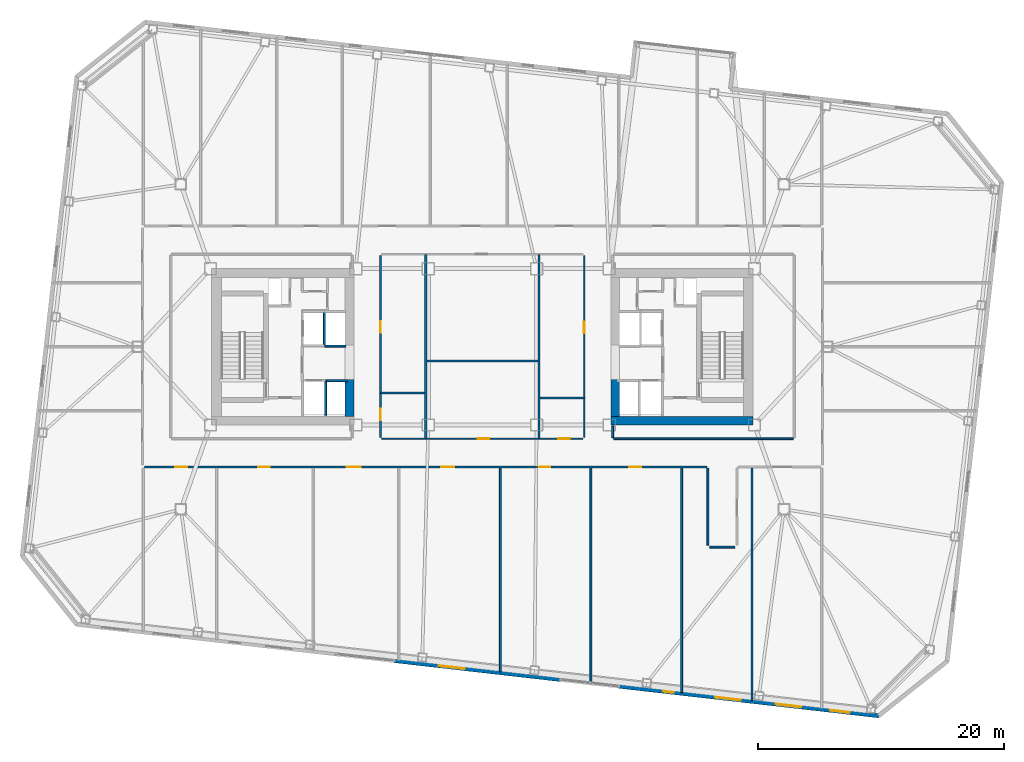
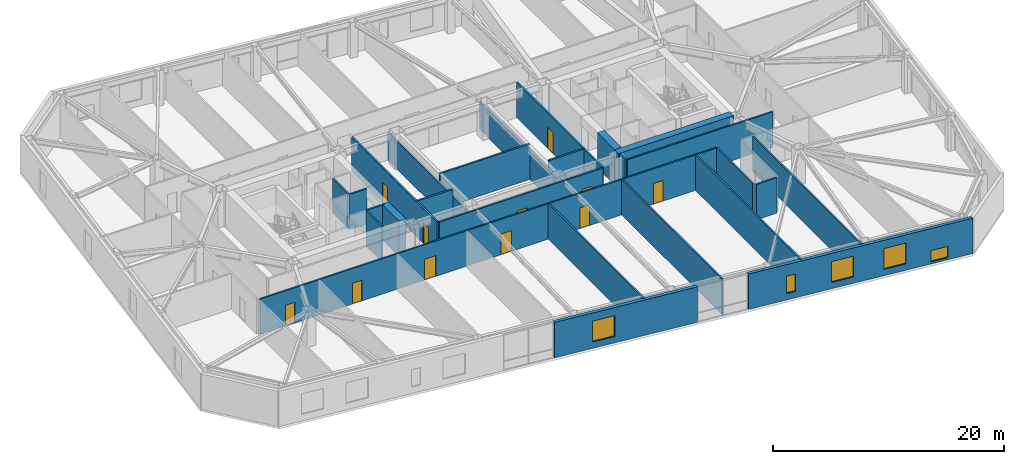
# One storey, part 14 of 23: 26 walls, 11 doors, 5 windows, 16 openings.
"""IFC4 building model written with IfcOpenShell, lengths in metres."""

from ifc_helpers import new_model, si_unit, direction, frame, frame_2d, origin, place, context, subcontext, project, spatial, rectangle, extrude, material, layer, layer_set, type_object, element, fill, save


model = new_model("IFC4")

# Units and contexts
model_context = context("Model", 3, precision=1e-05, world=origin(), true_north=direction((0.0, 1.0)))
body_context = subcontext(model_context, "Body", "Model", "MODEL_VIEW")
ifc_project = project(units=[si_unit("LENGTHUNIT", "METRE"), si_unit("AREAUNIT", "SQUARE_METRE"), si_unit("VOLUMEUNIT", "CUBIC_METRE"), si_unit("PLANEANGLEUNIT", "RADIAN"), si_unit("MASSUNIT", "GRAM", prefix="KILO")], contexts=[model_context])

# Site, building, storey
site_placement = place(None, origin())
site = spatial("IfcSite", under=ifc_project, at=site_placement, CompositionType="ELEMENT")
building_placement = place(site_placement, origin())
building = spatial("IfcBuilding", under=site, at=building_placement, Name="Tavrogorsk Clinical Tower", CompositionType="ELEMENT")
storey_placement = place(building_placement, frame((0.0, 0.0, 113.39990234375)))
storey = spatial("IfcBuildingStorey", under=building, at=storey_placement, Name="L25", CompositionType="ELEMENT", Elevation=113.39990234375)

# Wall, openings, doors
ifc_material_1 = material(Name="Lightweight concrete blockwork B15", Category="masonry")
ifc_layer_1 = layer(ifc_material_1, 0.159912109375)
ifc_layer_set_1 = layer_set([ifc_layer_1], Name="Lightweight concrete blockwork B15")
wall_type_1 = type_object("IfcWallType", Name="PartitionWall_160", PredefinedType="PARTITIONING", material=ifc_layer_set_1)
wall_1_placement = place(storey_placement, frame((18.235107421875, -9.780029296875, 0.0), z_axis=(0.0, 0.0, 1.0), x_axis=(-1.0, 0.0, 0.0)))
wall_1 = element("IfcWall", 1, at=wall_1_placement, inside=storey, type_object=wall_type_1, Name="L25 Corridor Partition 01", PredefinedType="PARTITIONING", context=body_context, shape_type="SweptSolid", body=[
    extrude(rectangle(XDim=45.7001953125, YDim=0.159912109375, at=frame_2d((22.85009765625, 0.0))), origin(), (0.0, 0.0, 1.0), 3.739990234375),
])
opening_1_placement = place(wall_1_placement, frame((42.225830078125, 0.0, 0.0)))
opening_1 = element("IfcOpeningElement", 2, at=opening_1_placement, cuts=wall_1, Name="Opening ID-02", PredefinedType="OPENING", context=body_context, shape_type="SweptSolid", body=[
    extrude(rectangle(XDim=0.949951171875, YDim=2.199951171875, at=frame_2d((0.47509765625, 1.10009765625))), frame((0.0, 0.08984375, 0.0), z_axis=(0.0, -1.0, 0.0), x_axis=(1.0, 0.0, 0.0)), (0.0, 0.0, 1.0), 0.179931640625),
])
opening_2_placement = place(wall_1_placement, frame((35.52001953125, 0.0, 0.0)))
opening_2 = element("IfcOpeningElement", 3, at=opening_2_placement, cuts=wall_1, Name="Opening ID-02", PredefinedType="OPENING", context=body_context, shape_type="SweptSolid", body=[
    extrude(rectangle(XDim=0.949951171875, YDim=2.199951171875, at=frame_2d((0.47509765625, 1.10009765625))), frame((0.0, 0.08984375, 0.0), z_axis=(0.0, -1.0, 0.0), x_axis=(1.0, 0.0, 0.0)), (0.0, 0.0, 1.0), 0.179931640625),
])
opening_3_placement = place(wall_1_placement, frame((28.1201171875, 0.0, 0.0)))
opening_3 = element("IfcOpeningElement", 4, at=opening_3_placement, cuts=wall_1, Name="Opening ID-06", PredefinedType="OPENING", context=body_context, shape_type="SweptSolid", body=[
    extrude(rectangle(XDim=1.14990234375, YDim=2.199951171875, at=frame_2d((0.574951171875, 1.10009765625))), frame((0.0, 0.08984375, 0.0), z_axis=(0.0, -1.0, 0.0), x_axis=(1.0, 0.0, 0.0)), (0.0, 0.0, 1.0), 0.179931640625),
])
opening_4_placement = place(wall_1_placement, frame((20.52001953125, 0.0, 0.0)))
opening_4 = element("IfcOpeningElement", 5, at=opening_4_placement, cuts=wall_1, Name="Opening ID-04", PredefinedType="OPENING", context=body_context, shape_type="SweptSolid", body=[
    extrude(rectangle(XDim=1.050048828125, YDim=2.199951171875, at=frame_2d((0.52490234375, 1.10009765625))), frame((0.0, 0.08984375, 0.0), z_axis=(0.0, -1.0, 0.0), x_axis=(1.0, 0.0, 0.0)), (0.0, 0.0, 1.0), 0.179931640625),
])
opening_5_placement = place(wall_1_placement, frame((12.719970703125, 0.0, 0.0)))
opening_5 = element("IfcOpeningElement", 6, at=opening_5_placement, cuts=wall_1, Name="Opening ID-02", PredefinedType="OPENING", context=body_context, shape_type="SweptSolid", body=[
    extrude(rectangle(XDim=0.949951171875, YDim=2.199951171875, at=frame_2d((0.47509765625, 1.10009765625))), frame((0.0, 0.08984375, 0.0), z_axis=(0.0, -1.0, 0.0), x_axis=(1.0, 0.0, 0.0)), (0.0, 0.0, 1.0), 0.179931640625),
])
opening_6_placement = place(wall_1_placement, frame((5.35009765625, 0.0, 0.0)))
opening_6 = element("IfcOpeningElement", 7, at=opening_6_placement, cuts=wall_1, Name="Opening ID-02", PredefinedType="OPENING", context=body_context, shape_type="SweptSolid", body=[
    extrude(rectangle(XDim=0.949951171875, YDim=2.199951171875, at=frame_2d((0.47509765625, 1.10009765625))), frame((0.0, 0.08984375, 0.0), z_axis=(0.0, -1.0, 0.0), x_axis=(1.0, 0.0, 0.0)), (0.0, 0.0, 1.0), 0.179931640625),
])
ifc_material_2 = material(Name="Antibacterial HPL consultation door on aluminium frame", Category="aluminium")
door_type_1 = type_object("IfcDoorType", Name="ConsultDoor_ID04_1050", OperationType="NOTDEFINED", PredefinedType="DOOR", material=ifc_material_2)
door_1_placement = place(opening_4_placement, origin())
door_1 = element("IfcDoor", 8, at=door_1_placement, inside=storey, type_object=door_type_1, Name="L25 South Cardiology Diagnostics Room 03A Door", OperationType="SINGLE_SWING_LEFT", OverallHeight=2.199951171875, OverallWidth=1.050048828125, PredefinedType="DOOR", context=body_context, shape_type="SweptSolid", body=[
    extrude(rectangle(XDim=1.050048828125, YDim=2.199951171875, at=frame_2d((0.52490234375, 1.10009765625))), frame((0.0, 0.02490234375, 0.0), z_axis=(0.0, -1.0, 0.0), x_axis=(1.0, 0.0, 0.0)), (0.0, 0.0, 1.0), 0.050048828125),
])
fill(opening_4, door_1)
ifc_material_3 = material(Name="Laminated timber leaf on aluminium frame", Category="wood")
door_type_2 = type_object("IfcDoorType", Name="InteriorDoor_ID02_950", OperationType="NOTDEFINED", PredefinedType="DOOR", material=ifc_material_3)
door_2_placement = place(opening_1_placement, origin())
door_2 = element("IfcDoor", 9, at=door_2_placement, inside=storey, type_object=door_type_2, Name="L25 South Clean Medication & Prep Room 01 Door", OperationType="SINGLE_SWING_RIGHT", OverallHeight=2.199951171875, OverallWidth=0.949951171875, PredefinedType="DOOR", context=body_context, shape_type="SweptSolid", body=[
    extrude(rectangle(XDim=0.949951171875, YDim=2.199951171875, at=frame_2d((0.47509765625, 1.10009765625))), frame((0.0, 0.02490234375, 0.0), z_axis=(0.0, -1.0, 0.0), x_axis=(1.0, 0.0, 0.0)), (0.0, 0.0, 1.0), 0.050048828125),
])
fill(opening_1, door_2)
door_3_placement = place(opening_2_placement, origin())
door_3 = element("IfcDoor", 10, at=door_3_placement, inside=storey, type_object=door_type_2, Name="L25 South Outpatient Procedure Suite 02A Door", OperationType="SINGLE_SWING_LEFT", OverallHeight=2.199951171875, OverallWidth=0.949951171875, PredefinedType="DOOR", context=body_context, shape_type="SweptSolid", body=[
    extrude(rectangle(XDim=0.949951171875, YDim=2.199951171875, at=frame_2d((0.47509765625, 1.10009765625))), frame((0.0, 0.02490234375, 0.0), z_axis=(0.0, -1.0, 0.0), x_axis=(1.0, 0.0, 0.0)), (0.0, 0.0, 1.0), 0.050048828125),
])
fill(opening_2, door_3)
door_4_placement = place(opening_5_placement, origin())
door_4 = element("IfcDoor", 11, at=door_4_placement, inside=storey, type_object=door_type_2, Name="L25 South Staff Rest & Nourishment Lounge 03B Door", OperationType="SINGLE_SWING_RIGHT", OverallHeight=2.199951171875, OverallWidth=0.949951171875, PredefinedType="DOOR", context=body_context, shape_type="SweptSolid", body=[
    extrude(rectangle(XDim=0.949951171875, YDim=2.199951171875, at=frame_2d((0.47509765625, 1.10009765625))), frame((0.0, 0.02490234375, 0.0), z_axis=(0.0, -1.0, 0.0), x_axis=(1.0, 0.0, 0.0)), (0.0, 0.0, 1.0), 0.050048828125),
])
fill(opening_5, door_4)
door_5_placement = place(opening_6_placement, origin())
door_5 = element("IfcDoor", 12, at=door_5_placement, inside=storey, type_object=door_type_2, Name="L25 South Attending Physician Office 04A Door", OperationType="SINGLE_SWING_LEFT", OverallHeight=2.199951171875, OverallWidth=0.949951171875, PredefinedType="DOOR", context=body_context, shape_type="SweptSolid", body=[
    extrude(rectangle(XDim=0.949951171875, YDim=2.199951171875, at=frame_2d((0.47509765625, 1.10009765625))), frame((0.0, 0.02490234375, 0.0), z_axis=(0.0, -1.0, 0.0), x_axis=(1.0, 0.0, 0.0)), (0.0, 0.0, 1.0), 0.050048828125),
])
fill(opening_6, door_5)
ifc_material_4 = material(Name="Antibacterial HPL procedure door on aluminium frame", Category="aluminium")
door_type_3 = type_object("IfcDoorType", Name="LabDoor_ID06_1150", OperationType="NOTDEFINED", PredefinedType="DOOR", material=ifc_material_4)
door_6_placement = place(opening_3_placement, origin())
door_6 = element("IfcDoor", 13, at=door_6_placement, inside=storey, type_object=door_type_3, Name="L25 South Clinical Case Seminar Room 02B Door", OperationType="SINGLE_SWING_RIGHT", OverallHeight=2.199951171875, OverallWidth=1.14990234375, PredefinedType="DOOR", context=body_context, shape_type="SweptSolid", body=[
    extrude(rectangle(XDim=1.14990234375, YDim=2.199951171875, at=frame_2d((0.574951171875, 1.10009765625))), frame((0.0, 0.02490234375, 0.0), z_axis=(0.0, -1.0, 0.0), x_axis=(1.0, 0.0, 0.0)), (0.0, 0.0, 1.0), 0.050048828125),
])
fill(opening_3, door_6)

# Walls
wall_2_placement = place(storey_placement, frame((20.514892578125, -16.280029296875, 0.0), z_axis=(0.0, 0.0, 1.0), x_axis=(-1.0, 0.0, 0.0)))
element("IfcWall", 14, at=wall_2_placement, inside=storey, type_object=wall_type_1, Name="L25 Corridor Partition 07", PredefinedType="PARTITIONING", context=body_context, shape_type="SweptSolid", body=[
    extrude(rectangle(XDim=2.02978515625, YDim=0.159912109375, at=frame_2d((1.014892578125, 0.0))), origin(), (0.0, 0.0, 1.0), 3.739990234375),
])
wall_3_placement = place(storey_placement, frame((18.320068359375, -16.114990234375, 0.0), z_axis=(0.0, 0.0, 1.0), x_axis=(0.0, 1.0, 0.0)))
element("IfcWall", 15, at=wall_3_placement, inside=storey, type_object=wall_type_1, Name="L25 Corridor Partition 08", PredefinedType="PARTITIONING", context=body_context, shape_type="SweptSolid", body=[
    extrude(rectangle(XDim=6.25, YDim=0.159912109375, at=frame_2d((3.125, 0.0))), origin(), (0.0, 0.0, 1.0), 3.739990234375),
])
wall_4_placement = place(storey_placement, frame((10.580078125, -6.419921875, 0.0), z_axis=(0.0, 0.0, 1.0), x_axis=(0.0, -1.0, 0.0)))
element("IfcWall", 16, at=wall_4_placement, inside=storey, type_object=wall_type_1, Name="L25 Corridor Partition 11", PredefinedType="PARTITIONING", context=body_context, shape_type="SweptSolid", body=[
    extrude(rectangle(XDim=0.965087890625, YDim=0.159912109375, at=frame_2d((0.482421875, 0.0))), origin(), (0.0, 0.0, 1.0), 3.739990234375),
])
wall_5_placement = place(storey_placement, frame((10.6650390625, -7.469970703125, 0.0), z_axis=(0.0, 0.0, 1.0), x_axis=(1.0, 0.0, 0.0)))
element("IfcWall", 17, at=wall_5_placement, inside=storey, type_object=wall_type_1, Name="L25 Corridor Partition 12", PredefinedType="PARTITIONING", context=body_context, shape_type="SweptSolid", body=[
    extrude(rectangle(XDim=14.570068359375, YDim=0.159912109375, at=frame_2d((7.28515625, 0.0))), origin(), (0.0, 0.0, 1.0), 3.739990234375),
])

# Wall, openings, doors
wall_6_placement = place(storey_placement, frame((-8.27001953125, 7.43505859375, 0.0), z_axis=(0.0, 0.0, 1.0), x_axis=(0.0, -1.0, 0.0)))
wall_6 = element("IfcWall", 18, at=wall_6_placement, inside=storey, type_object=wall_type_1, Name="L25 Corridor Partition 15", PredefinedType="PARTITIONING", context=body_context, shape_type="SweptSolid", body=[
    extrude(rectangle(XDim=14.820068359375, YDim=0.159912109375, at=frame_2d((7.41015625, 0.0))), origin(), (0.0, 0.0, 1.0), 3.739990234375),
])
opening_7_placement = place(wall_6_placement, frame((12.4609375, 0.0, 0.0)))
opening_7 = element("IfcOpeningElement", 19, at=opening_7_placement, cuts=wall_6, Name="Opening ID-02", PredefinedType="OPENING", context=body_context, shape_type="SweptSolid", body=[
    extrude(rectangle(XDim=0.949951171875, YDim=2.199951171875, at=frame_2d((0.47509765625, 1.10009765625))), frame((0.0, 0.08984375, 0.0), z_axis=(0.0, -1.0, 0.0), x_axis=(1.0, 0.0, 0.0)), (0.0, 0.0, 1.0), 0.179931640625),
])
opening_8_placement = place(wall_6_placement, frame((5.35400390625, 0.0, 0.0)))
opening_8 = element("IfcOpeningElement", 20, at=opening_8_placement, cuts=wall_6, Name="Opening ID-02", PredefinedType="OPENING", context=body_context, shape_type="SweptSolid", body=[
    extrude(rectangle(XDim=0.949951171875, YDim=2.199951171875, at=frame_2d((0.47509765625, 1.10009765625))), frame((0.0, 0.08984375, 0.0), z_axis=(0.0, -1.0, 0.0), x_axis=(1.0, 0.0, 0.0)), (0.0, 0.0, 1.0), 0.179931640625),
])
door_7_placement = place(opening_7_placement, origin())
door_7 = element("IfcDoor", 21, at=door_7_placement, inside=storey, type_object=door_type_2, Name="L25 Accessible Patient Lavatory Door", OperationType="SINGLE_SWING_RIGHT", OverallHeight=2.199951171875, OverallWidth=0.949951171875, PredefinedType="DOOR", context=body_context, shape_type="SweptSolid", body=[
    extrude(rectangle(XDim=0.949951171875, YDim=2.199951171875, at=frame_2d((0.47509765625, 1.10009765625))), frame((0.0, 0.02490234375, 0.0), z_axis=(0.0, -1.0, 0.0), x_axis=(1.0, 0.0, 0.0)), (0.0, 0.0, 1.0), 0.050048828125),
])
fill(opening_7, door_7)
door_8_placement = place(opening_8_placement, origin())
door_8 = element("IfcDoor", 22, at=door_8_placement, inside=storey, type_object=door_type_2, Name="L25 Ward Nourishment Pantry Door", OperationType="SINGLE_SWING_LEFT", OverallHeight=2.199951171875, OverallWidth=0.949951171875, PredefinedType="DOOR", context=body_context, shape_type="SweptSolid", body=[
    extrude(rectangle(XDim=0.949951171875, YDim=2.199951171875, at=frame_2d((0.47509765625, 1.10009765625))), frame((0.0, 0.02490234375, 0.0), z_axis=(0.0, -1.0, 0.0), x_axis=(1.0, 0.0, 0.0)), (0.0, 0.0, 1.0), 0.050048828125),
])
fill(opening_8, door_8)

wall_7_placement = place(storey_placement, frame((-8.18505859375, -7.469970703125, 0.0), z_axis=(0.0, 0.0, 1.0), x_axis=(1.0, 0.0, 0.0)))
wall_7 = element("IfcWall", 23, at=wall_7_placement, inside=storey, type_object=wall_type_1, Name="L25 Corridor Partition 16", PredefinedType="PARTITIONING", context=body_context, shape_type="SweptSolid", body=[
    extrude(rectangle(XDim=16.3701171875, YDim=0.159912109375, at=frame_2d((8.18505859375, 0.0))), origin(), (0.0, 0.0, 1.0), 3.739990234375),
])
opening_9_placement = place(wall_7_placement, frame((7.794921875, 0.0, 0.0)))
opening_9 = element("IfcOpeningElement", 24, at=opening_9_placement, cuts=wall_7, Name="Opening ID-02", PredefinedType="OPENING", context=body_context, shape_type="SweptSolid", body=[
    extrude(rectangle(XDim=0.949951171875, YDim=2.199951171875, at=frame_2d((0.47509765625, 1.10009765625))), frame((0.0, 0.08984375, 0.0), z_axis=(0.0, -1.0, 0.0), x_axis=(1.0, 0.0, 0.0)), (0.0, 0.0, 1.0), 0.179931640625),
])
opening_10_placement = place(wall_7_placement, frame((14.3359375, 0.0, 0.0)))
opening_10 = element("IfcOpeningElement", 25, at=opening_10_placement, cuts=wall_7, Name="Opening ID-02", PredefinedType="OPENING", context=body_context, shape_type="SweptSolid", body=[
    extrude(rectangle(XDim=0.949951171875, YDim=2.199951171875, at=frame_2d((0.47509765625, 1.10009765625))), frame((0.0, 0.08984375, 0.0), z_axis=(0.0, -1.0, 0.0), x_axis=(1.0, 0.0, 0.0)), (0.0, 0.0, 1.0), 0.179931640625),
])
door_9_placement = place(opening_9_placement, origin())
door_9 = element("IfcDoor", 26, at=door_9_placement, inside=storey, type_object=door_type_2, Name="L25 Multidisciplinary Conference Room Door", OperationType="SINGLE_SWING_RIGHT", OverallHeight=2.199951171875, OverallWidth=0.949951171875, PredefinedType="DOOR", context=body_context, shape_type="SweptSolid", body=[
    extrude(rectangle(XDim=0.949951171875, YDim=2.199951171875, at=frame_2d((0.47509765625, 1.10009765625))), frame((0.0, 0.02490234375, 0.0), z_axis=(0.0, -1.0, 0.0), x_axis=(1.0, 0.0, 0.0)), (0.0, 0.0, 1.0), 0.050048828125),
])
fill(opening_9, door_9)
door_10_placement = place(opening_10_placement, origin())
door_10 = element("IfcDoor", 27, at=door_10_placement, inside=storey, type_object=door_type_2, Name="L25 Staff & Visitor Accessible WC Door", OperationType="SINGLE_SWING_RIGHT", OverallHeight=2.199951171875, OverallWidth=0.949951171875, PredefinedType="DOOR", context=body_context, shape_type="SweptSolid", body=[
    extrude(rectangle(XDim=0.949951171875, YDim=2.199951171875, at=frame_2d((0.47509765625, 1.10009765625))), frame((0.0, 0.02490234375, 0.0), z_axis=(0.0, -1.0, 0.0), x_axis=(1.0, 0.0, 0.0)), (0.0, 0.0, 1.0), 0.050048828125),
])
fill(opening_10, door_10)

# Wall, opening, door
wall_8_placement = place(storey_placement, frame((8.27001953125, -7.385009765625, 0.0), z_axis=(0.0, 0.0, 1.0), x_axis=(0.0, 1.0, 0.0)))
wall_8 = element("IfcWall", 28, at=wall_8_placement, inside=storey, type_object=wall_type_1, Name="L25 Corridor Partition 17", PredefinedType="PARTITIONING", context=body_context, shape_type="SweptSolid", body=[
    extrude(rectangle(XDim=14.820068359375, YDim=0.159912109375, at=frame_2d((7.41015625, 0.0))), origin(), (0.0, 0.0, 1.0), 3.739990234375),
])
opening_11_placement = place(wall_8_placement, frame((8.48583984375, 0.0, 0.0)))
opening_11 = element("IfcOpeningElement", 29, at=opening_11_placement, cuts=wall_8, Name="Opening ID-02", PredefinedType="OPENING", context=body_context, shape_type="SweptSolid", body=[
    extrude(rectangle(XDim=0.949951171875, YDim=2.199951171875, at=frame_2d((0.47509765625, 1.10009765625))), frame((0.0, 0.08984375, 0.0), z_axis=(0.0, -1.0, 0.0), x_axis=(1.0, 0.0, 0.0)), (0.0, 0.0, 1.0), 0.179931640625),
])
door_11_placement = place(opening_11_placement, origin())
door_11 = element("IfcDoor", 30, at=door_11_placement, inside=storey, type_object=door_type_2, Name="L25 Attending Physician Office Door", OperationType="SINGLE_SWING_LEFT", OverallHeight=2.199951171875, OverallWidth=0.949951171875, PredefinedType="DOOR", context=body_context, shape_type="SweptSolid", body=[
    extrude(rectangle(XDim=0.949951171875, YDim=2.199951171875, at=frame_2d((0.47509765625, 1.10009765625))), frame((0.0, 0.02490234375, 0.0), z_axis=(0.0, -1.0, 0.0), x_axis=(1.0, 0.0, 0.0)), (0.0, 0.0, 1.0), 0.050048828125),
])
fill(opening_11, door_11)

# Walls
wall_9_placement = place(storey_placement, frame((8.800048828125, -27.248046875, 0.0), z_axis=(0.0, 0.0, 1.0), x_axis=(0.0, 1.0, 0.0)))
element("IfcWall", 31, at=wall_9_placement, inside=storey, type_object=wall_type_1, Name="L25 South Room Partition 3", PredefinedType="PARTITIONING", context=body_context, shape_type="SweptSolid", body=[
    extrude(rectangle(XDim=17.383056640625, YDim=0.159912109375, at=frame_2d((8.69140625, 0.0))), origin(), (0.0, 0.0, 1.0), 3.739990234375),
])
wall_10_placement = place(storey_placement, frame((21.89990234375, -28.740478515625, 0.0), z_axis=(0.0, 0.0, 1.0), x_axis=(0.0, 1.0, 0.0)))
element("IfcWall", 32, at=wall_10_placement, inside=storey, type_object=wall_type_1, Name="L25 South Room Partition 4", PredefinedType="PARTITIONING", context=body_context, shape_type="SweptSolid", body=[
    extrude(rectangle(XDim=18.87548828125, YDim=0.159912109375, at=frame_2d((9.437744140625, 0.0))), origin(), (0.0, 0.0, 1.0), 3.739990234375),
])
wall_11_placement = place(storey_placement, frame((1.449951171875, -26.41064453125, 0.0), z_axis=(0.0, 0.0, 1.0), x_axis=(0.0, 1.0, 0.0)))
element("IfcWall", 33, at=wall_11_placement, inside=storey, type_object=wall_type_1, Name="L25 South Sub-Partition 3", PredefinedType="PARTITIONING", context=body_context, shape_type="SweptSolid", body=[
    extrude(rectangle(XDim=16.545654296875, YDim=0.159912109375, at=frame_2d((8.27294921875, 0.0))), origin(), (0.0, 0.0, 1.0), 3.739990234375),
])
wall_12_placement = place(storey_placement, frame((16.18994140625, -28.090087890625, 0.0), z_axis=(0.0, 0.0, 1.0), x_axis=(0.0, 1.0, 0.0)))
element("IfcWall", 34, at=wall_12_placement, inside=storey, type_object=wall_type_1, Name="L25 South Sub-Partition 4", PredefinedType="PARTITIONING", context=body_context, shape_type="SweptSolid", body=[
    extrude(rectangle(XDim=18.22509765625, YDim=0.159912109375, at=frame_2d((9.112548828125, 0.0))), origin(), (0.0, 0.0, 1.0), 3.739990234375),
])
ifc_material_5 = material(Name="Lightweight concrete blockwork B20", Category="masonry")
ifc_layer_2 = layer(ifc_material_5, 0.179931640625)
ifc_layer_set_2 = layer_set([ifc_layer_2], Name="Lightweight concrete blockwork B20")
wall_type_2 = type_object("IfcWallType", Name="PartitionWall_180", PredefinedType="PARTITIONING", material=ifc_layer_set_2)
for number, where, z_axis, x_axis, name in (
    (35, (-4.60009765625, -7.465087890625, 0.0), (0.0, 0.0, 1.0), (0.0, 1.0, 0.0), "L25 Central Spine Partition 1"),
    (36, (4.60009765625, -7.465087890625, 0.0), (0.0, 0.0, 1.0), (0.0, 1.0, 0.0), "L25 Central Spine Partition 2"),
):
    element("IfcWall", number, at=place(storey_placement, frame(where, z_axis=z_axis, x_axis=x_axis)), inside=storey, type_object=wall_type_2, Name=name, PredefinedType="PARTITIONING", context=body_context, shape_type="SweptSolid", body=[
        extrude(rectangle(XDim=14.97998046875, YDim=0.179931640625, at=frame_2d((7.489990234375, 0.0))), origin(), (0.0, 0.0, 1.0), 2.93505859375),
    ])
wall_13_placement = place(storey_placement, frame((-4.5048828125, -1.14990234375, 0.0), z_axis=(0.0, 0.0, 1.0), x_axis=(1.0, 0.0, 0.0)))
element("IfcWall", 37, at=wall_13_placement, inside=storey, type_object=wall_type_2, Name="L25 Central Spine Partition 3", PredefinedType="PARTITIONING", context=body_context, shape_type="SweptSolid", body=[
    extrude(rectangle(XDim=9.009765625, YDim=0.179931640625, at=frame_2d((4.5048828125, 0.0))), origin(), (0.0, 0.0, 1.0), 3.739990234375),
])
for number, where, z_axis, x_axis, name in (
    (38, (-8.264892578125, -3.75, 0.0), (0.0, 0.0, 1.0), (1.0, 0.0, 0.0), "L25 Central Spine Partition 4"),
    (39, (4.695068359375, -4.14990234375, 0.0), (0.0, 0.0, 1.0), (1.0, 0.0, 0.0), "L25 Central Spine Partition 5"),
):
    element("IfcWall", number, at=place(storey_placement, frame(where, z_axis=z_axis, x_axis=x_axis)), inside=storey, type_object=wall_type_2, Name=name, PredefinedType="PARTITIONING", context=body_context, shape_type="SweptSolid", body=[
        extrude(rectangle(XDim=3.56982421875, YDim=0.179931640625, at=frame_2d((1.784912109375, 0.0))), origin(), (0.0, 0.0, 1.0), 3.739990234375),
    ])

# Wall, opening, window
ifc_material_6 = material(Name="Precast concrete B45 with limestone cladding", Category="masonry")
ifc_layer_3 = layer(ifc_material_6, 0.340087890625)
ifc_layer_set_3 = layer_set([ifc_layer_3], Name="Precast concrete B45 with limestone cladding")
wall_type_3 = type_object("IfcWallType", Name="PrecastLimestoneWall_340", PredefinedType="STANDARD", material=ifc_layer_set_3)
wall_14_placement = place(storey_placement, frame((-7.121826171875, -25.50439453125, 0.0), z_axis=(0.0, 0.0, 1.0), x_axis=(0.993571685551, -0.11320470693, 0.0)))
wall_14 = element("IfcWall", 40, at=wall_14_placement, inside=storey, type_object=wall_type_3, Name="L25 S Limestone Facade Wall 2", PredefinedType="STANDARD", context=body_context, shape_type="SweptSolid", body=[
    extrude(rectangle(XDim=13.554443359375, YDim=0.340087890625, at=frame_2d((6.77734375, 0.0))), origin(), (0.0, 0.0, 1.0), 3.739990234375),
])
opening_12_placement = place(wall_14_placement, frame((3.616455078125, 0.0, 0.669921875)))
opening_12 = element("IfcOpeningElement", 41, at=opening_12_placement, cuts=wall_14, Name="Opening WN-03", PredefinedType="OPENING", context=body_context, shape_type="SweptSolid", body=[
    extrude(rectangle(XDim=2.10009765625, YDim=2.199951171875, at=frame_2d((1.050048828125, 1.10009765625))), frame((0.0, 0.179931640625, 0.0), z_axis=(0.0, -1.0, 0.0), x_axis=(1.0, 0.0, 0.0)), (0.0, 0.0, 1.0), 0.360107421875),
])
ifc_material_7 = material(Name="Thermally broken aluminium frame and triple IGU", Category="aluminium")
window_type_1 = type_object("IfcWindowType", Name="PatientTwinWin_2100x2200", PartitioningType="DOUBLE_PANEL_VERTICAL", PredefinedType="WINDOW", material=ifc_material_7)
window_1_placement = place(opening_12_placement, origin())
window_1 = element("IfcWindow", 42, at=window_1_placement, inside=storey, type_object=window_type_1, Name="L25 S Chicago Window 05", OverallHeight=2.199951171875, OverallWidth=2.10009765625, PartitioningType="SINGLE_PANEL", PredefinedType="WINDOW", context=body_context, shape_type="SweptSolid", body=[
    extrude(rectangle(XDim=2.10009765625, YDim=2.199951171875, at=frame_2d((1.050048828125, 1.10009765625))), frame((0.0, 0.030029296875, 0.0), z_axis=(0.0, -1.0, 0.0), x_axis=(1.0, 0.0, 0.0)), (0.0, 0.0, 1.0), 0.06005859375),
])
fill(opening_12, window_1)

# Wall, openings, windows
wall_15_placement = place(storey_placement, frame((11.114501953125, -27.582275390625, 0.0), z_axis=(0.0, 0.0, 1.0), x_axis=(0.993572655904, -0.113196190044, 0.0)))
wall_15 = element("IfcWall", 43, at=wall_15_placement, inside=storey, type_object=wall_type_3, Name="L25 S Limestone Facade Wall 3", PredefinedType="STANDARD", context=body_context, shape_type="SweptSolid", body=[
    extrude(rectangle(XDim=21.222900390625, YDim=0.340087890625, at=frame_2d((10.611328125, 0.0))), origin(), (0.0, 0.0, 1.0), 3.739990234375),
])
opening_13_placement = place(wall_15_placement, frame((3.616455078125, 0.0, 0.669921875)))
opening_13 = element("IfcOpeningElement", 44, at=opening_13_placement, cuts=wall_15, Name="Opening WN-06", PredefinedType="OPENING", context=body_context, shape_type="SweptSolid", body=[
    extrude(rectangle(XDim=0.85009765625, YDim=1.85009765625, at=frame_2d((0.425048828125, 0.925048828125))), frame((0.0, 0.179931640625, 0.0), z_axis=(0.0, -1.0, 0.0), x_axis=(1.0, 0.0, 0.0)), (0.0, 0.0, 1.0), 0.360107421875),
])
opening_14_placement = place(wall_15_placement, frame((7.837890625, 0.0, 0.669921875)))
opening_14 = element("IfcOpeningElement", 45, at=opening_14_placement, cuts=wall_15, Name="Opening WN-03", PredefinedType="OPENING", context=body_context, shape_type="SweptSolid", body=[
    extrude(rectangle(XDim=2.10009765625, YDim=2.199951171875, at=frame_2d((1.050048828125, 1.10009765625))), frame((0.0, 0.179931640625, 0.0), z_axis=(0.0, -1.0, 0.0), x_axis=(1.0, 0.0, 0.0)), (0.0, 0.0, 1.0), 0.360107421875),
])
opening_15_placement = place(wall_15_placement, frame((12.793701171875, 0.0, 0.669921875)))
opening_15 = element("IfcOpeningElement", 46, at=opening_15_placement, cuts=wall_15, Name="Opening WN-03", PredefinedType="OPENING", context=body_context, shape_type="SweptSolid", body=[
    extrude(rectangle(XDim=2.10009765625, YDim=2.199951171875, at=frame_2d((1.050048828125, 1.10009765625))), frame((0.0, 0.179931640625, 0.0), z_axis=(0.0, -1.0, 0.0), x_axis=(1.0, 0.0, 0.0)), (0.0, 0.0, 1.0), 0.360107421875),
])
opening_16_placement = place(wall_15_placement, frame((17.264892578125, 0.0, 0.219970703125)))
opening_16 = element("IfcOpeningElement", 47, at=opening_16_placement, cuts=wall_15, Name="Opening WN-09", PredefinedType="OPENING", context=body_context, shape_type="SweptSolid", body=[
    extrude(rectangle(XDim=1.60009765625, YDim=1.199951171875, at=frame_2d((0.800048828125, 0.60009765625))), frame((0.0, 0.179931640625, 0.0), z_axis=(0.0, -1.0, 0.0), x_axis=(1.0, 0.0, 0.0)), (0.0, 0.0, 1.0), 0.360107421875),
])
ifc_material_8 = material(Name="Thermally broken aluminium frame and triple IGU", Category="aluminium")
window_type_2 = type_object("IfcWindowType", Name="LowHeadTransWin_1600x1200", PartitioningType="DOUBLE_PANEL_VERTICAL", PredefinedType="WINDOW", material=ifc_material_8)
window_2_placement = place(opening_16_placement, origin())
window_2 = element("IfcWindow", 48, at=window_2_placement, inside=storey, type_object=window_type_2, Name="L25 S Chicago Window 10", OverallHeight=1.199951171875, OverallWidth=1.60009765625, PartitioningType="SINGLE_PANEL", PredefinedType="WINDOW", context=body_context, shape_type="SweptSolid", body=[
    extrude(rectangle(XDim=1.60009765625, YDim=1.199951171875, at=frame_2d((0.800048828125, 0.60009765625))), frame((0.0, 0.030029296875, 0.0), z_axis=(0.0, -1.0, 0.0), x_axis=(1.0, 0.0, 0.0)), (0.0, 0.0, 1.0), 0.06005859375),
])
fill(opening_16, window_2)
ifc_material_9 = material(Name="Thermally broken aluminium frame and triple IGU", Category="aluminium")
window_type_3 = type_object("IfcWindowType", Name="MullionSubWin_850x1850", PartitioningType="SINGLE_PANEL", PredefinedType="WINDOW", material=ifc_material_9)
window_3_placement = place(opening_13_placement, origin())
window_3 = element("IfcWindow", 49, at=window_3_placement, inside=storey, type_object=window_type_3, Name="L25 S Mullion Split Window 07A", OverallHeight=1.85009765625, OverallWidth=0.85009765625, PartitioningType="SINGLE_PANEL", PredefinedType="WINDOW", context=body_context, shape_type="SweptSolid", body=[
    extrude(rectangle(XDim=0.85009765625, YDim=1.85009765625, at=frame_2d((0.425048828125, 0.925048828125))), frame((0.0, 0.030029296875, 0.0), z_axis=(0.0, -1.0, 0.0), x_axis=(1.0, 0.0, 0.0)), (0.0, 0.0, 1.0), 0.06005859375),
])
fill(opening_13, window_3)
window_4_placement = place(opening_14_placement, origin())
window_4 = element("IfcWindow", 50, at=window_4_placement, inside=storey, type_object=window_type_1, Name="L25 S Chicago Window 08", OverallHeight=2.199951171875, OverallWidth=2.10009765625, PartitioningType="SINGLE_PANEL", PredefinedType="WINDOW", context=body_context, shape_type="SweptSolid", body=[
    extrude(rectangle(XDim=2.10009765625, YDim=2.199951171875, at=frame_2d((1.050048828125, 1.10009765625))), frame((0.0, 0.030029296875, 0.0), z_axis=(0.0, -1.0, 0.0), x_axis=(1.0, 0.0, 0.0)), (0.0, 0.0, 1.0), 0.06005859375),
])
fill(opening_14, window_4)
window_5_placement = place(opening_15_placement, origin())
window_5 = element("IfcWindow", 51, at=window_5_placement, inside=storey, type_object=window_type_1, Name="L25 S Chicago Window 09", OverallHeight=2.199951171875, OverallWidth=2.10009765625, PartitioningType="SINGLE_PANEL", PredefinedType="WINDOW", context=body_context, shape_type="SweptSolid", body=[
    extrude(rectangle(XDim=2.10009765625, YDim=2.199951171875, at=frame_2d((1.050048828125, 1.10009765625))), frame((0.0, 0.030029296875, 0.0), z_axis=(0.0, -1.0, 0.0), x_axis=(1.0, 0.0, 0.0)), (0.0, 0.0, 1.0), 0.06005859375),
])
fill(opening_15, window_5)

# Walls
ifc_material_10 = material(Name="Lightweight concrete blockwork B25", Category="masonry")
ifc_layer_4 = layer(ifc_material_10, 0.159912109375)
ifc_layer_set_4 = layer_set([ifc_layer_4], Name="Lightweight concrete blockwork B25")
wall_type_4 = type_object("IfcWallType", Name="ShaftWall_160", PredefinedType="PARTITIONING", material=ifc_layer_set_4)
wall_16_placement = place(storey_placement, frame((-12.840087890625, 0.179931640625, 0.0), z_axis=(0.0, 0.0, 1.0), x_axis=(0.0, 1.0, 0.0)))
element("IfcWall", 52, at=wall_16_placement, inside=storey, type_object=wall_type_4, Name="L25 FFL-W Shaft Back Wall", PredefinedType="PARTITIONING", context=body_context, shape_type="SweptSolid", body=[
    extrude(rectangle(XDim=2.6201171875, YDim=0.159912109375, at=frame_2d((1.31005859375, 0.0))), origin(), (0.0, 0.0, 1.0), 3.739990234375),
])
wall_17_placement = place(storey_placement, frame((-12.75, -5.5400390625, 0.0), z_axis=(0.0, 0.0, 1.0), x_axis=(0.0, 1.0, 0.0)))
element("IfcWall", 53, at=wall_17_placement, inside=storey, type_object=wall_type_4, Name="L25 LP-L1 Lift Hoistway Divider Wall", PredefinedType="PARTITIONING", context=body_context, shape_type="SweptSolid", body=[
    extrude(rectangle(XDim=2.699951171875, YDim=0.159912109375, at=frame_2d((1.35009765625, 0.0))), origin(), (0.0, 0.0, 1.0), 3.739990234375),
])
wall_18_placement = place(storey_placement, frame((-12.72998046875, -2.75, 0.0), z_axis=(0.0, 0.0, 1.0), x_axis=(1.0, 0.0, 0.0)))
element("IfcWall", 54, at=wall_18_placement, inside=storey, type_object=wall_type_4, Name="L25 LP-M1 Lift Shaft Portal Wall", PredefinedType="PARTITIONING", context=body_context, shape_type="SweptSolid", body=[
    extrude(rectangle(XDim=1.760009765625, YDim=0.159912109375, at=frame_2d((0.8798828125, 0.0))), origin(), (0.0, 0.0, 1.0), 3.739990234375),
])
wall_19_placement = place(storey_placement, frame((-12.820068359375, 0.06005859375, 0.0), z_axis=(0.0, 0.0, 1.0), x_axis=(1.0, 0.0, 0.0)))
element("IfcWall", 55, at=wall_19_placement, inside=storey, type_object=wall_type_4, Name="L25 LP-H1 High-Zone Lift Portal Wall", PredefinedType="PARTITIONING", context=body_context, shape_type="SweptSolid", body=[
    extrude(rectangle(XDim=1.719970703125, YDim=0.159912109375, at=frame_2d((0.85986328125, 0.0))), origin(), (0.0, 0.0, 1.0), 3.739990234375),
])
ifc_material_11 = material(Name="Concrete B80", Category="concrete")
ifc_layer_5 = layer(ifc_material_11, 0.699951171875)
ifc_layer_set_5 = layer_set([ifc_layer_5], Name="Concrete B80")
wall_type_5 = type_object("IfcWallType", Name="ShearWall_700", PredefinedType="SHEAR", material=ifc_layer_set_5)
wall_20_placement = place(storey_placement, frame((-10.800048828125, -5.64990234375, 0.0), z_axis=(0.0, 0.0, 1.0), x_axis=(0.0, 1.0, 0.0)))
element("IfcWall", 56, at=wall_20_placement, inside=storey, type_object=wall_type_5, Name="L25 Core West Inner South Pier", PredefinedType="SHEAR", context=body_context, shape_type="SweptSolid", body=[
    extrude(rectangle(XDim=3.0, YDim=0.699951171875, at=frame_2d((1.5, 0.0))), origin(), (0.0, 0.0, 1.0), 3.739990234375),
])
wall_21_placement = place(storey_placement, frame((10.449951171875, -6.0, 0.0), z_axis=(0.0, 0.0, 1.0), x_axis=(1.0, 0.0, 0.0)))
element("IfcWall", 57, at=wall_21_placement, inside=storey, type_object=wall_type_5, Name="L25 Core East South Shear Wall", PredefinedType="SHEAR", context=body_context, shape_type="SweptSolid", body=[
    extrude(rectangle(XDim=11.550048828125, YDim=0.699951171875, at=frame_2d((5.77490234375, 0.0))), origin(), (0.0, 0.0, 1.0), 3.739990234375),
])
wall_22_placement = place(storey_placement, frame((10.800048828125, -5.64990234375, 0.0), z_axis=(0.0, 0.0, 1.0), x_axis=(0.0, 1.0, 0.0)))
element("IfcWall", 58, at=wall_22_placement, inside=storey, type_object=wall_type_5, Name="L25 Core East Inner South Pier", PredefinedType="SHEAR", context=body_context, shape_type="SweptSolid", body=[
    extrude(rectangle(XDim=3.0, YDim=0.699951171875, at=frame_2d((1.5, 0.0))), origin(), (0.0, 0.0, 1.0), 3.739990234375),
])

save(model, "model.ifc")
